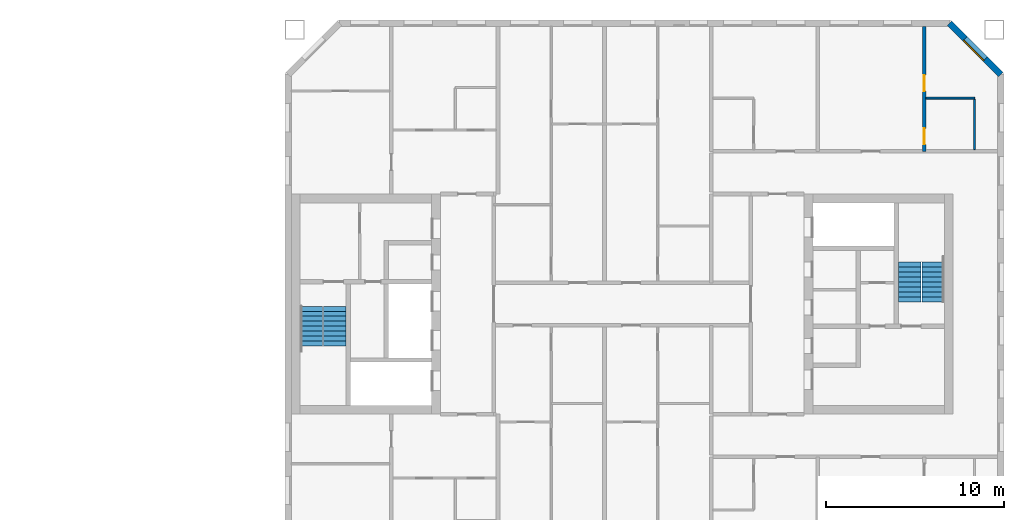
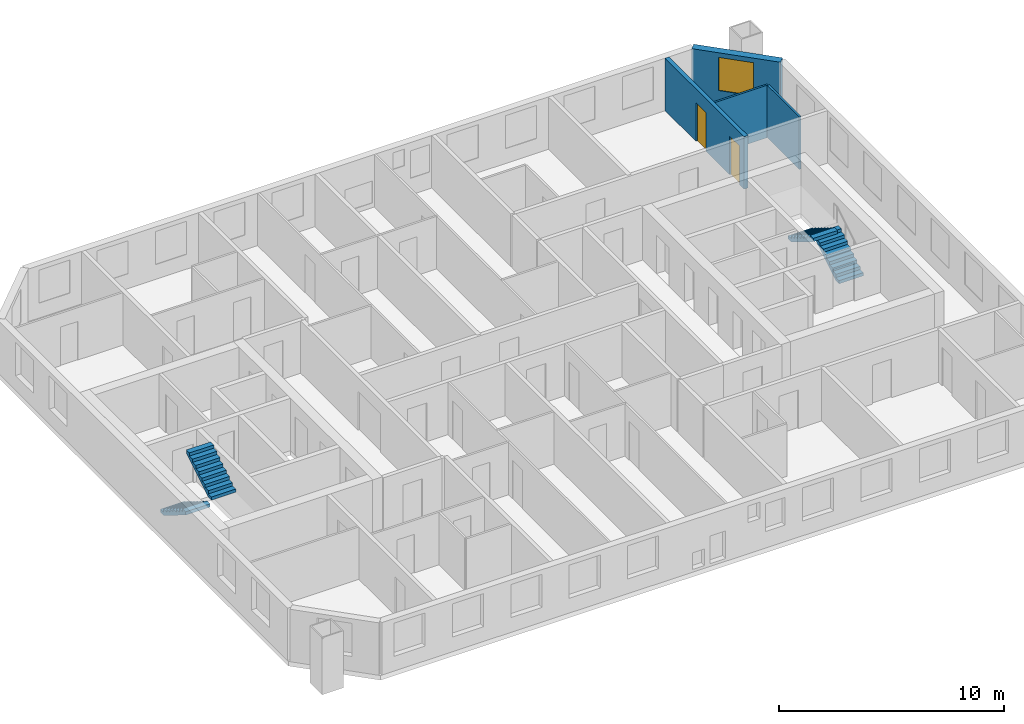
# One storey, part 13 of 15: 4 stair flights, 4 walls, 2 doors, 1 window, 3 openings, 2 elements without a shape of their own.
"""IFC4 building model written with IfcOpenShell, lengths in metres."""

from ifc_helpers import new_model, si_unit, direction, frame, frame_2d, origin, place, context, subcontext, project, spatial, polyline, rectangle, outline, extrude, material, layer, layer_set, type_object, element, fill, aggregate, save


model = new_model("IFC4")

# Units and contexts
model_context = context("Model", 3, precision=1e-05, world=origin(), true_north=direction((0.0, 1.0)))
body_context = subcontext(model_context, "Body", "Model", "MODEL_VIEW")
ifc_project = project(units=[si_unit("LENGTHUNIT", "METRE"), si_unit("AREAUNIT", "SQUARE_METRE"), si_unit("VOLUMEUNIT", "CUBIC_METRE"), si_unit("PLANEANGLEUNIT", "RADIAN"), si_unit("MASSUNIT", "GRAM", prefix="KILO")], contexts=[model_context])

# Site, building, storey
site_placement = place(None, origin())
site = spatial("IfcSite", under=ifc_project, at=site_placement, CompositionType="ELEMENT")
building_placement = place(site_placement, origin())
building = spatial("IfcBuilding", under=site, at=building_placement, Name="Tuart Gate Housing", CompositionType="ELEMENT")
storey_placement = place(building_placement, frame((0.0, 0.0, 164.0)))
storey = spatial("IfcBuildingStorey", under=building, at=storey_placement, Name="L46", CompositionType="ELEMENT", Elevation=164.0)

# Wall, opening, window
ifc_material_1 = material(Name="Brick", Category="masonry")
ifc_layer_1 = layer(ifc_material_1, 0.360107421875)
ifc_layer_set_1 = layer_set([ifc_layer_1], Name="Brick pier and spandrel wall 360")
wall_type_1 = type_object("IfcWallType", Name="Brick pier and spandrel wall 360", PredefinedType="STANDARD", material=ifc_layer_set_1)
wall_1_placement = place(storey_placement, frame((171.320068359375, 82.92529296875, 0.0), z_axis=(0.0, 0.0, 1.0), x_axis=(-0.707106781187, 0.707106781187, 0.0)))
wall_1 = element("IfcWall", 1, at=wall_1_placement, inside=storey, type_object=wall_type_1, Name="External wall B-NE L46", PredefinedType="STANDARD", context=body_context, shape_type="SweptSolid", body=[
    extrude(rectangle(XDim=4.09375, YDim=0.360107421875, at=frame_2d((2.046875, 0.0))), origin(), (0.0, 0.0, 1.0), 2.85009765625),
])
opening_1_placement = place(wall_1_placement, frame((1.2470703125, 0.0, 0.800048828125)))
opening_1 = element("IfcOpeningElement", 2, at=opening_1_placement, cuts=wall_1, Name="Opening W1", PredefinedType="OPENING", context=body_context, shape_type="SweptSolid", body=[
    extrude(rectangle(XDim=1.60009765625, YDim=1.800048828125, at=frame_2d((0.800048828125, 0.89990234375))), frame((0.0, 0.18994140625, 0.0), z_axis=(0.0, -1.0, 0.0), x_axis=(1.0, 0.0, 0.0)), (0.0, 0.0, 1.0), 0.380126953125),
])
ifc_material_2 = material(Name="Aluminium frame with clear glass", Category="aluminium")
window_type = type_object("IfcWindowType", Name="Punched window 1600 x 1800", PartitioningType="SINGLE_PANEL", PredefinedType="WINDOW", material=ifc_material_2)
window_placement = place(opening_1_placement, origin())
window = element("IfcWindow", 3, at=window_placement, inside=storey, type_object=window_type, Name="Window W1", OverallHeight=1.800048828125, OverallWidth=1.60009765625, PartitioningType="SINGLE_PANEL", PredefinedType="WINDOW", context=body_context, shape_type="SweptSolid", body=[
    extrude(rectangle(XDim=1.60009765625, YDim=1.800048828125, at=frame_2d((0.800048828125, 0.89990234375))), frame((0.0, 0.150146484375, 0.0), z_axis=(0.0, -1.0, 0.0), x_axis=(1.0, 0.0, 0.0)), (0.0, 0.0, 1.0), 0.06005859375),
])
fill(opening_1, window)

# Walls
ifc_material_3 = material(Name="Gypsum board on steel studs", Category="steel")
ifc_layer_2 = layer(ifc_material_3, 0.10009765625)
ifc_layer_set_2 = layer_set([ifc_layer_2], Name="Partition 100")
wall_type_2 = type_object("IfcWallType", Name="Partition 100", PredefinedType="PARTITIONING", material=ifc_layer_set_2)
wall_2_placement = place(storey_placement, frame((167.10009765625, 81.60009765625, 0.0), z_axis=(0.0, 0.0, 1.0), x_axis=(1.0, 0.0, 0.0)))
element("IfcWall", 4, at=wall_2_placement, inside=storey, type_object=wall_type_2, Name="Partition 100", PredefinedType="PARTITIONING", context=body_context, shape_type="SweptSolid", body=[
    extrude(rectangle(XDim=2.739990234375, YDim=0.10009765625, at=frame_2d((1.3701171875, 0.0))), origin(), (0.0, 0.0, 1.0), 2.85009765625),
])
wall_3_placement = place(storey_placement, frame((169.840087890625, 78.699951171875, 0.0), z_axis=(0.0, 0.0, 1.0), x_axis=(0.0, 1.0, 0.0)))
element("IfcWall", 5, at=wall_3_placement, inside=storey, type_object=wall_type_2, Name="Partition 100", PredefinedType="PARTITIONING", context=body_context, shape_type="SweptSolid", body=[
    extrude(rectangle(XDim=2.85009765625, YDim=0.10009765625, at=frame_2d((1.425048828125, 0.0))), origin(), (0.0, 0.0, 1.0), 2.85009765625),
])

# Wall, openings, doors
ifc_material_4 = material(Name="Concrete C40", Category="concrete")
ifc_layer_3 = layer(ifc_material_4, 0.199951171875)
ifc_layer_set_3 = layer_set([ifc_layer_3], Name="Party wall concrete C40 200")
wall_type_3 = type_object("IfcWallType", Name="Party wall concrete C40 200", PredefinedType="SOLIDWALL", material=ifc_layer_set_3)
wall_4_placement = place(storey_placement, frame((167.0, 78.60009765625, 0.0), z_axis=(0.0, 0.0, 1.0), x_axis=(0.0, 1.0, 0.0)))
wall_4 = element("IfcWall", 6, at=wall_4_placement, inside=storey, type_object=wall_type_3, Name="Party wall concrete C40 200", PredefinedType="SOLIDWALL", context=body_context, shape_type="SweptSolid", body=[
    extrude(rectangle(XDim=7.039794921875, YDim=0.199951171875, at=frame_2d((3.52001953125, 0.0))), origin(), (0.0, 0.0, 1.0), 2.85009765625),
])
opening_2_placement = place(wall_4_placement, frame((3.39990234375, 0.0, 0.0)))
opening_2 = element("IfcOpeningElement", 7, at=opening_2_placement, cuts=wall_4, Name="Opening D1682", PredefinedType="OPENING", context=body_context, shape_type="SweptSolid", body=[
    extrude(rectangle(XDim=0.89990234375, YDim=2.10009765625, at=frame_2d((0.449951171875, 1.050048828125))), frame((0.0, 0.10986328125, 0.0), z_axis=(0.0, -1.0, 0.0), x_axis=(1.0, 0.0, 0.0)), (0.0, 0.0, 1.0), 0.219970703125),
])
opening_3_placement = place(wall_4_placement, frame((0.39990234375, 0.0, 0.0)))
opening_3 = element("IfcOpeningElement", 8, at=opening_3_placement, cuts=wall_4, Name="Opening D1681", PredefinedType="OPENING", context=body_context, shape_type="SweptSolid", body=[
    extrude(rectangle(XDim=0.89990234375, YDim=2.10009765625, at=frame_2d((0.449951171875, 1.050048828125))), frame((0.0, 0.10986328125, 0.0), z_axis=(0.0, -1.0, 0.0), x_axis=(1.0, 0.0, 0.0)), (0.0, 0.0, 1.0), 0.219970703125),
])
ifc_material_5 = material(Name="Timber door leaf in steel frame", Category="steel")
door_type_1 = type_object("IfcDoorType", Name="Bathroom door 900 RH", OperationType="SINGLE_SWING_RIGHT", PredefinedType="DOOR", material=ifc_material_5)
door_1_placement = place(opening_3_placement, frame((0.89990234375, 0.0, 0.0), z_axis=(0.0, 0.0, 1.0), x_axis=(-1.0, 0.0, 0.0)))
door_1 = element("IfcDoor", 9, at=door_1_placement, inside=storey, type_object=door_type_1, Name="Bathroom door", OperationType="SINGLE_SWING_RIGHT", OverallHeight=2.10009765625, OverallWidth=0.89990234375, PredefinedType="DOOR", context=body_context, shape_type="SweptSolid", body=[
    extrude(rectangle(XDim=0.89990234375, YDim=2.10009765625, at=frame_2d((0.449951171875, 1.050048828125))), frame((0.0, 0.025146484375, 0.0), z_axis=(0.0, -1.0, 0.0), x_axis=(1.0, 0.0, 0.0)), (0.0, 0.0, 1.0), 0.050048828125),
])
fill(opening_3, door_1)
ifc_material_6 = material(Name="Timber door leaf in steel frame", Category="steel")
door_type_2 = type_object("IfcDoorType", Name="Internal door 900 RH", OperationType="SINGLE_SWING_RIGHT", PredefinedType="DOOR", material=ifc_material_6)
door_2_placement = place(opening_2_placement, frame((0.89990234375, 0.0, 0.0), z_axis=(0.0, 0.0, 1.0), x_axis=(-1.0, 0.0, 0.0)))
door_2 = element("IfcDoor", 10, at=door_2_placement, inside=storey, type_object=door_type_2, Name="Internal door", OperationType="SINGLE_SWING_RIGHT", OverallHeight=2.10009765625, OverallWidth=0.89990234375, PredefinedType="DOOR", context=body_context, shape_type="SweptSolid", body=[
    extrude(rectangle(XDim=0.89990234375, YDim=2.10009765625, at=frame_2d((0.449951171875, 1.050048828125))), frame((0.0, 0.025146484375, 0.0), z_axis=(0.0, -1.0, 0.0), x_axis=(1.0, 0.0, 0.0)), (0.0, 0.0, 1.0), 0.050048828125),
])
fill(opening_2, door_2)

# Stair, stair flights
ifc_material_7 = material(Name="Concrete C40", Category="concrete")
stair_type = type_object("IfcStairType", Name="Core stair 1250", PredefinedType="HALF_TURN_STAIR", material=ifc_material_7)
stair_1_placement = place(storey_placement, origin())
stair_1 = element("IfcStair", 11, at=stair_1_placement, inside=storey, type_object=stair_type, Name="Stair SB1", PredefinedType="HALF_TURN_STAIR")
ifc_material_8 = material(Name="Concrete C40", Category="concrete")
stair_flight_type = type_object("IfcStairFlightType", Name="Stair flight 1250, 9 risers 172 x 280", PredefinedType="STRAIGHT", material=ifc_material_8)
stair_flight_1_placement = place(storey_placement, frame((132.485107421875, 69.875, 0.0), z_axis=(0.0, 0.0, 1.0), x_axis=(0.0, -1.0, 0.0)))
stair_flight_1 = element("IfcStairFlight", 12, at=stair_flight_1_placement, type_object=stair_flight_type, Name="SB1 flight 1", NumberOfRisers=9, NumberOfTreads=8, PredefinedType="STRAIGHT", RiserHeight=0.172222222, TreadLength=0.28, context=body_context, shape_type="SweptSolid", body=[
    extrude(outline(polyline([(0.0, 0.0), (0.0, 0.172119140625), (0.280029296875, 0.172119140625), (0.280029296875, 0.344482421875), (0.56005859375, 0.344482421875), (0.56005859375, 0.5166015625), (0.840087890625, 0.5166015625), (0.840087890625, 0.68896484375), (1.1201171875, 0.68896484375), (1.1201171875, 0.861083984375), (1.39990234375, 0.861083984375), (1.39990234375, 1.033447265625), (1.679931640625, 1.033447265625), (1.679931640625, 1.20556640625), (1.9599609375, 1.20556640625), (1.9599609375, 1.377685546875), (2.239990234375, 1.377685546875), (2.239990234375, 1.550048828125), (2.239990234375, 1.201904296875), (0.2861328125, 0.0), (0.0, 0.0)])), frame((0.0, 0.625, 0.0), z_axis=(0.0, -1.0, 0.0), x_axis=(1.0, 0.0, 0.0)), (0.0, 0.0, 1.0), 1.25),
])
stair_flight_2_placement = place(storey_placement, frame((133.81005859375, 67.635009765625, 1.550048828125), z_axis=(0.0, 0.0, 1.0), x_axis=(0.0, 1.0, 0.0)))
stair_flight_2 = element("IfcStairFlight", 13, at=stair_flight_2_placement, type_object=stair_flight_type, Name="SB1 flight 2", NumberOfRisers=9, NumberOfTreads=8, PredefinedType="STRAIGHT", RiserHeight=0.172222222, TreadLength=0.28, context=body_context, shape_type="SweptSolid", body=[
    extrude(outline(polyline([(0.0, 0.0), (0.0, 0.172119140625), (0.280029296875, 0.172119140625), (0.280029296875, 0.344482421875), (0.56005859375, 0.344482421875), (0.56005859375, 0.5166015625), (0.840087890625, 0.5166015625), (0.840087890625, 0.68896484375), (1.1201171875, 0.68896484375), (1.1201171875, 0.861083984375), (1.39990234375, 0.861083984375), (1.39990234375, 1.033447265625), (1.679931640625, 1.033447265625), (1.679931640625, 1.20556640625), (1.9599609375, 1.20556640625), (1.9599609375, 1.377685546875), (2.239990234375, 1.377685546875), (2.239990234375, 1.550048828125), (2.239990234375, 1.201904296875), (0.2861328125, 0.0), (0.0, 0.0)])), frame((0.0, 0.625, 0.0), z_axis=(0.0, -1.0, 0.0), x_axis=(1.0, 0.0, 0.0)), (0.0, 0.0, 1.0), 1.25),
])
aggregate(stair_1, [stair_flight_1, stair_flight_2])

stair_2_placement = place(storey_placement, origin())
stair_2 = element("IfcStair", 14, at=stair_2_placement, inside=storey, type_object=stair_type, Name="Stair SB2", PredefinedType="HALF_TURN_STAIR")
stair_flight_3_placement = place(storey_placement, frame((167.514892578125, 70.125, 0.0), z_axis=(0.0, 0.0, 1.0), x_axis=(0.0, 1.0, 0.0)))
stair_flight_3 = element("IfcStairFlight", 15, at=stair_flight_3_placement, type_object=stair_flight_type, Name="SB2 flight 1", NumberOfRisers=9, NumberOfTreads=8, PredefinedType="STRAIGHT", RiserHeight=0.172222222, TreadLength=0.28, context=body_context, shape_type="SweptSolid", body=[
    extrude(outline(polyline([(0.0, 0.0), (0.0, 0.172119140625), (0.280029296875, 0.172119140625), (0.280029296875, 0.344482421875), (0.56005859375, 0.344482421875), (0.56005859375, 0.5166015625), (0.840087890625, 0.5166015625), (0.840087890625, 0.68896484375), (1.1201171875, 0.68896484375), (1.1201171875, 0.861083984375), (1.39990234375, 0.861083984375), (1.39990234375, 1.033447265625), (1.679931640625, 1.033447265625), (1.679931640625, 1.20556640625), (1.9599609375, 1.20556640625), (1.9599609375, 1.377685546875), (2.239990234375, 1.377685546875), (2.239990234375, 1.550048828125), (2.239990234375, 1.201904296875), (0.2861328125, 0.0), (0.0, 0.0)])), frame((0.0, 0.625, 0.0), z_axis=(0.0, -1.0, 0.0), x_axis=(1.0, 0.0, 0.0)), (0.0, 0.0, 1.0), 1.25),
])
stair_flight_4_placement = place(storey_placement, frame((166.18994140625, 72.364990234375, 1.550048828125), z_axis=(0.0, 0.0, 1.0), x_axis=(0.0, -1.0, 0.0)))
stair_flight_4 = element("IfcStairFlight", 16, at=stair_flight_4_placement, type_object=stair_flight_type, Name="SB2 flight 2", NumberOfRisers=9, NumberOfTreads=8, PredefinedType="STRAIGHT", RiserHeight=0.172222222, TreadLength=0.28, context=body_context, shape_type="SweptSolid", body=[
    extrude(outline(polyline([(0.0, 0.0), (0.0, 0.172119140625), (0.280029296875, 0.172119140625), (0.280029296875, 0.344482421875), (0.56005859375, 0.344482421875), (0.56005859375, 0.5166015625), (0.840087890625, 0.5166015625), (0.840087890625, 0.68896484375), (1.1201171875, 0.68896484375), (1.1201171875, 0.861083984375), (1.39990234375, 0.861083984375), (1.39990234375, 1.033447265625), (1.679931640625, 1.033447265625), (1.679931640625, 1.20556640625), (1.9599609375, 1.20556640625), (1.9599609375, 1.377685546875), (2.239990234375, 1.377685546875), (2.239990234375, 1.550048828125), (2.239990234375, 1.201904296875), (0.2861328125, 0.0), (0.0, 0.0)])), frame((0.0, 0.625, 0.0), z_axis=(0.0, -1.0, 0.0), x_axis=(1.0, 0.0, 0.0)), (0.0, 0.0, 1.0), 1.25),
])
aggregate(stair_2, [stair_flight_3, stair_flight_4])

save(model, "model.ifc")
